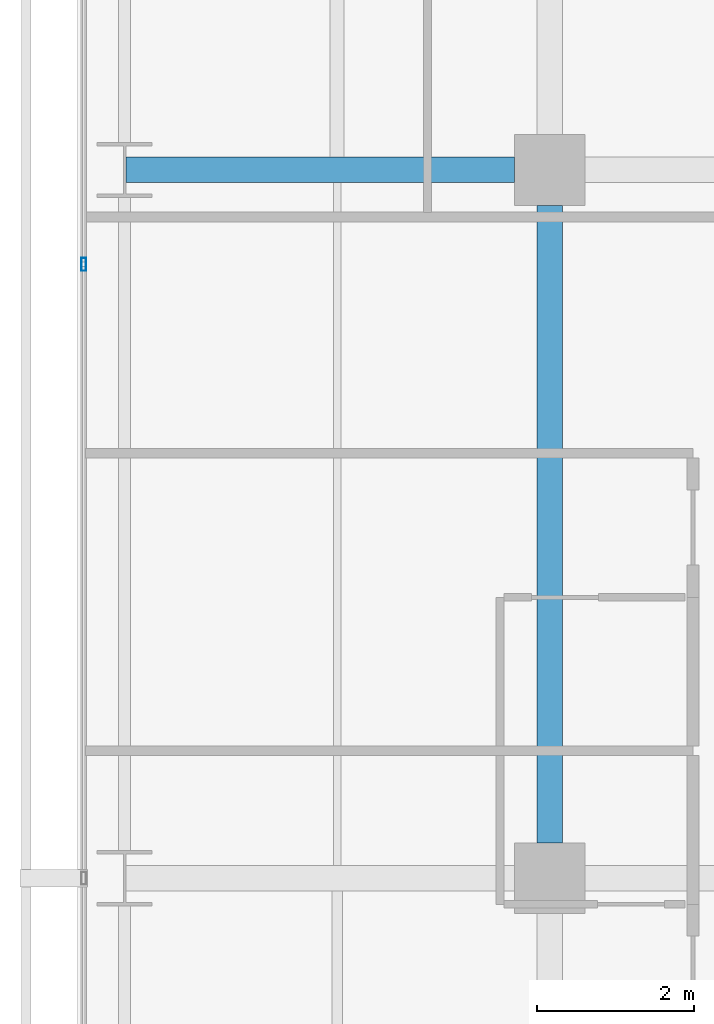
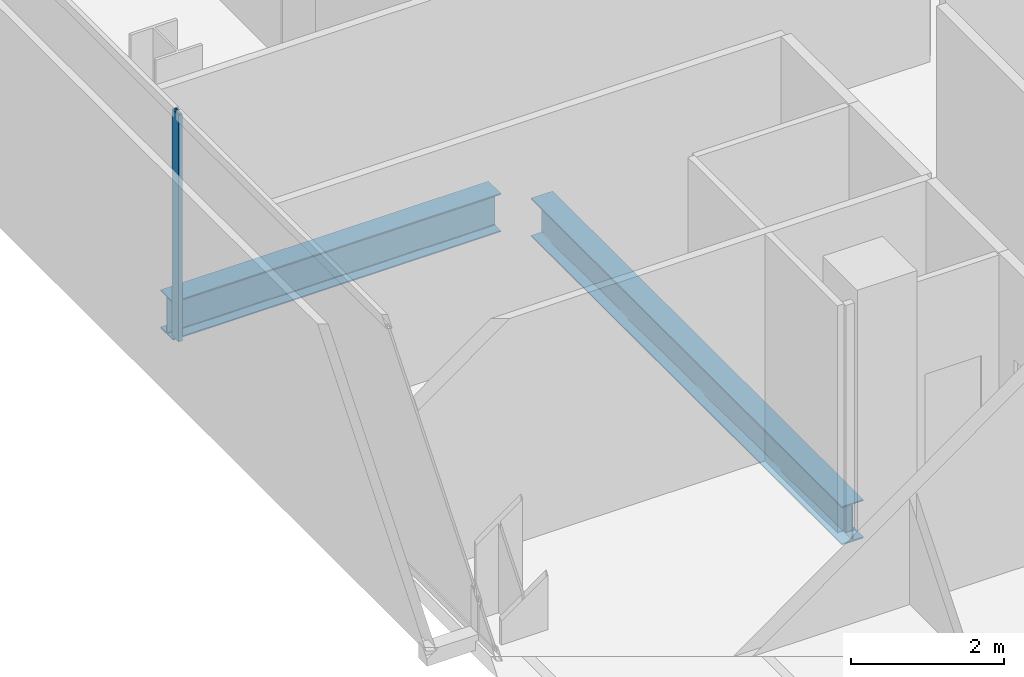
# One storey, part 21 of 40: 2 beams, 1 member, 1 element without a shape of its own.
"""IFC4 building model written with IfcOpenShell, lengths in metres."""

from ifc_helpers import new_model, si_unit, direction, frame, origin, origin_2d, place, context, subcontext, project, spatial, hollow_rectangle, i_section, extrude, material, layer, layer_set, material_profile, profile_set, type_object, element, aggregate, save


model = new_model("IFC4")

# Units and contexts
model_context = context("Model", 3, precision=1e-05, world=origin(), true_north=direction((0.0, 1.0)))
body_context = subcontext(model_context, "Body", "Model", "MODEL_VIEW")
ifc_project = project(units=[si_unit("LENGTHUNIT", "METRE"), si_unit("AREAUNIT", "SQUARE_METRE"), si_unit("VOLUMEUNIT", "CUBIC_METRE"), si_unit("PLANEANGLEUNIT", "RADIAN"), si_unit("MASSUNIT", "GRAM", prefix="KILO")], contexts=[model_context])

# Site, building, storey
site_placement = place(None, origin())
site = spatial("IfcSite", under=ifc_project, at=site_placement, CompositionType="ELEMENT")
building_placement = place(site_placement, origin())
building = spatial("IfcBuilding", under=site, at=building_placement, Name="Maruvema Waterfront Hotel and Observation Tower", CompositionType="ELEMENT")
storey_placement = place(building_placement, frame((0.0, 0.0, 107.800048828125)))
storey = spatial("IfcBuildingStorey", under=building, at=storey_placement, Name="L26", CompositionType="ELEMENT", Elevation=107.800048828125)

# Curtain wall, member
ifc_material_1 = material(Name="Anodised bronze aluminium and solar-control low-E IGU", Category="aluminium")
ifc_layer = layer(ifc_material_1, 0.159912109375, Name="Zone 1 Bronze Inner Thermal Curtain Wall System CW-02")
ifc_layer_set = layer_set([ifc_layer], Name="Anodised bronze aluminium and solar-control low-E IGU")
curtain_wall_type = type_object("IfcCurtainWallType", Name="Zone 1 Bronze Inner Thermal Curtain Wall System CW-02", PredefinedType="USERDEFINED", material=ifc_layer_set)
curtain_wall_placement = place(storey_placement, origin())
curtain_wall = element("IfcCurtainWall", 1, at=curtain_wall_placement, inside=storey, type_object=curtain_wall_type, Name="L26 Curtain Wall CW-L26-W", ObjectType="UNITISED CURTAIN WALL", PredefinedType="USERDEFINED")
ifc_material_2 = material(Name="Anodised architectural bronze aluminium", Category="aluminium")
ifc_material_profile_1 = material_profile(ifc_material_2, hollow_rectangle(XDim=0.06494140625, YDim=0.1650390625, WallThickness=0.00390625, at=origin_2d()), Name="ALU-M65x165")
ifc_profile_set_1 = profile_set([ifc_material_profile_1], Name="Anodised architectural bronze aluminium")
member_type = type_object("IfcMemberType", Name="Curtain Wall Primary Mullion ALU-M65x165", PredefinedType="MULLION", material=ifc_profile_set_1)
member_placement = place(storey_placement, frame((10.8798828125, 34.800048828125, 0.0), z_axis=(0.0, 0.0, 1.0), x_axis=(1.0, 0.0, 0.0)))
member = element("IfcMember", 2, at=member_placement, type_object=member_type, Name="CW-02 mullion 3", PredefinedType="MULLION", context=body_context, shape_type="SweptSolid", body=[
    extrude(hollow_rectangle(XDim=0.06494140625, YDim=0.1650390625, WallThickness=0.00390625, at=origin_2d()), origin(), (0.0, 0.0, 1.0), 3.60986328125),
])
aggregate(curtain_wall, [member])

# Beams
ifc_material_3 = material(Name="Steel ASTM A572 Grade 50", Category="steel")
ifc_material_profile_2 = material_profile(ifc_material_3, i_section(OverallWidth=0.323974609375, OverallDepth=0.611083984375, WebThickness=0.0126953125, FlangeThickness=0.01904296875, FilletRadius=0.01806640625, at=origin_2d()), Name="W610x155.0")
ifc_profile_set_2 = profile_set([ifc_material_profile_2], Name="Steel ASTM A572 Grade 50")
beam_type = type_object("IfcBeamType", Name="Primary Floor Girder W610x155.0", PredefinedType="BEAM", material=ifc_profile_set_2)
beam_1_placement = place(storey_placement, frame((11.4140625, 36.0, -0.545654296875), z_axis=(1.0, 0.0, 0.0), x_axis=(0.0, 1.0, 0.0)))
element("IfcBeam", 3, at=beam_1_placement, inside=storey, type_object=beam_type, Name="L26 Floor Girder EW-25", PredefinedType="BEAM", context=body_context, shape_type="SweptSolid", body=[
    extrude(i_section(OverallWidth=0.323974609375, OverallDepth=0.611083984375, WebThickness=0.0126953125, FlangeThickness=0.01904296875, FilletRadius=0.01806640625, at=origin_2d()), origin(), (0.0, 0.0, 1.0), 4.93603515625),
])
beam_2_placement = place(storey_placement, frame((16.800048828125, 27.449951171875, -0.545654296875), z_axis=(0.0, 1.0, 0.0), x_axis=(-1.0, 0.0, 0.0)))
element("IfcBeam", 4, at=beam_2_placement, inside=storey, type_object=beam_type, Name="L26 Floor Girder NS-08", PredefinedType="BEAM", context=body_context, shape_type="SweptSolid", body=[
    extrude(i_section(OverallWidth=0.323974609375, OverallDepth=0.611083984375, WebThickness=0.0126953125, FlangeThickness=0.01904296875, FilletRadius=0.01806640625, at=origin_2d()), origin(), (0.0, 0.0, 1.0), 8.10009765625),
])

save(model, "model.ifc")
